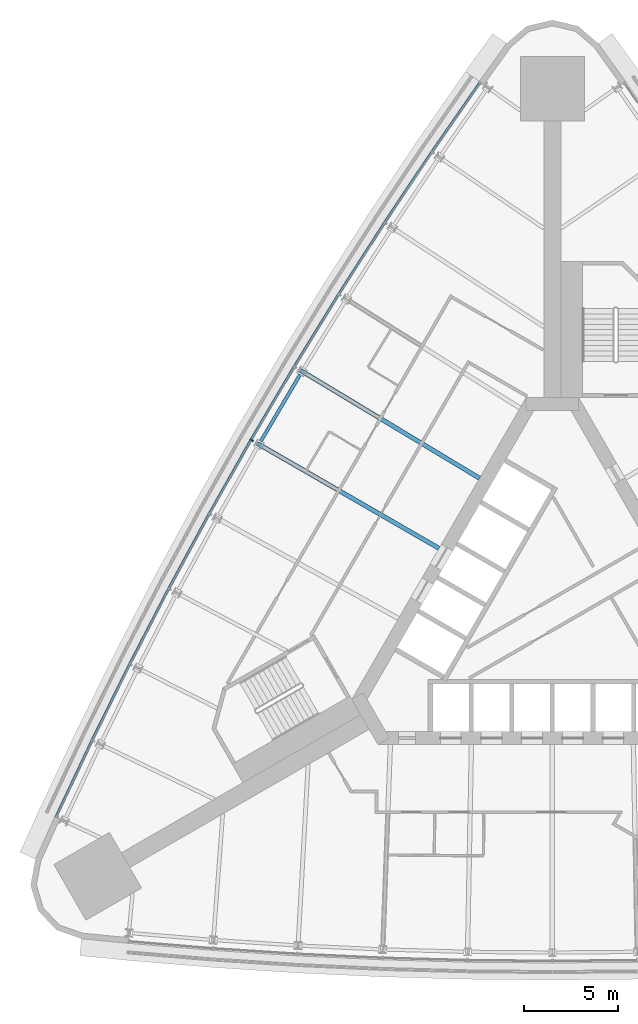
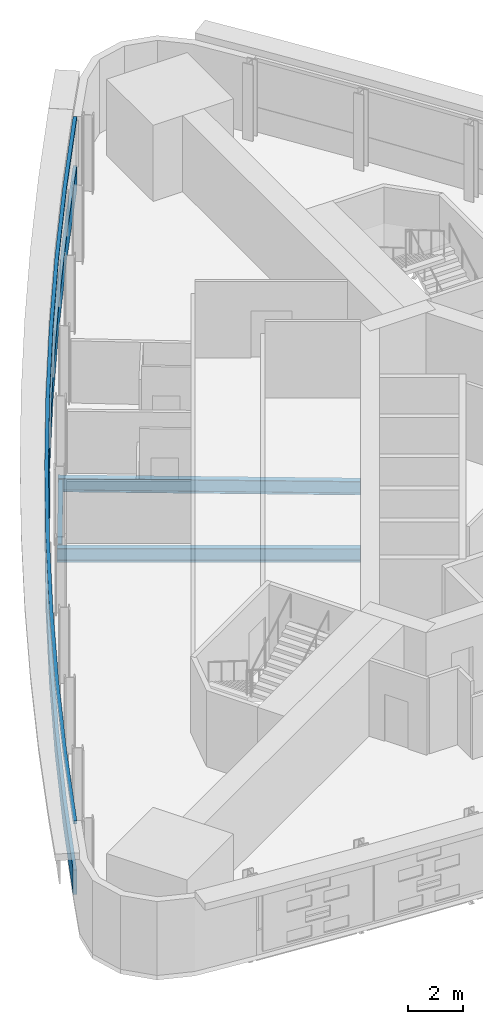
# One storey, part 5 of 15: 3 beams, 3 members, 1 element without a shape of its own.
"""IFC4 building model written with IfcOpenShell, lengths in metres."""

from ifc_helpers import new_model, si_unit, direction, frame, origin, origin_2d, place, context, subcontext, project, spatial, polyline, rectangle, i_section, outline, extrude, material, material_profile, profile_set, type_object, element, aggregate, save


model = new_model("IFC4")

# Units and contexts
model_context = context("Model", 3, precision=1e-05, world=origin(), true_north=direction((0.0, 1.0)))
body_context = subcontext(model_context, "Body", "Model", "MODEL_VIEW")
ifc_project = project(units=[si_unit("LENGTHUNIT", "METRE"), si_unit("AREAUNIT", "SQUARE_METRE"), si_unit("VOLUMEUNIT", "CUBIC_METRE"), si_unit("PLANEANGLEUNIT", "RADIAN"), si_unit("MASSUNIT", "GRAM", prefix="KILO")], contexts=[model_context])

# Site, building, storey
site_placement = place(None, origin())
site = spatial("IfcSite", under=ifc_project, at=site_placement, CompositionType="ELEMENT")
building_placement = place(site_placement, origin())
building = spatial("IfcBuilding", under=site, at=building_placement, Name="Noor Cloister Tower", CompositionType="ELEMENT")
storey_placement = place(building_placement, frame((0.0, 0.0, 31.199951171875)))
storey = spatial("IfcBuildingStorey", under=building, at=storey_placement, Name="L07", CompositionType="ELEMENT", Elevation=31.199951171875)

# Curtain wall, members
ifc_material_1 = material(Name="Aluminium 6063-T6 anodised", Category="aluminium")
curtain_wall_type = type_object("IfcCurtainWallType", Name="Ribbon curtain wall, lower tower CW1", PredefinedType="NOTDEFINED", material=ifc_material_1)
curtain_wall_placement = place(storey_placement, origin())
curtain_wall = element("IfcCurtainWall", 1, at=curtain_wall_placement, inside=storey, type_object=curtain_wall_type, Name="CW1 L07 NW run 1", PredefinedType="NOTDEFINED")
ifc_material_2 = material(Name="Aluminium 6063-T6 anodised", Category="aluminium")
member_type_1 = type_object("IfcMemberType", Name="Head transom CW1 150", PredefinedType="USERDEFINED", material=ifc_material_2)
member_1_placement = place(storey_placement, frame((0.0, 0.0, 3.150146484375)))
member_1 = element("IfcMember", 2, at=member_1_placement, type_object=member_type_1, Name="CW1 head transom", ObjectType="TRANSOM", PredefinedType="USERDEFINED", context=body_context, shape_type="SweptSolid", body=[
    extrude(outline(polyline([(-3.869873046875, 28.177734375), (-6.43701171875, 24.48193359375), (-8.93505859375, 20.739013671875), (-11.36328125, 16.950439453125), (-13.720947265625, 13.11767578125), (-16.0068359375, 9.24169921875), (-18.220703125, 5.32373046875), (-20.361328125, 1.36572265625), (-22.42822265625, -2.631591796875), (-24.42041015625, -6.66650390625), (-26.337646484375, -10.737548828125), (-26.2109375, -10.797119140625), (-24.29443359375, -6.727294921875), (-22.30322265625, -2.694580078125), (-20.237548828125, 1.30029296875), (-18.09814453125, 5.256103515625), (-15.8857421875, 9.171630859375), (-13.600830078125, 13.04541015625), (-11.244873046875, 16.8759765625), (-8.81787109375, 20.662353515625), (-6.3212890625, 24.403076171875), (-3.7548828125, 28.097900390625), (-3.869873046875, 28.177734375)])), origin(), (0.0, 0.0, 1.0), 0.14990234375),
])
ifc_material_3 = material(Name="Aluminium 6063-T6 anodised", Category="aluminium")
ifc_material_profile_1 = material_profile(ifc_material_3, rectangle(XDim=0.199951171875, YDim=0.080078125, at=origin_2d()), Name="200 x 80 mullion")
ifc_profile_set_1 = profile_set([ifc_material_profile_1], Name="Aluminium 6063-T6 anodised")
member_type_2 = type_object("IfcMemberType", Name="Mullion CW1 80 x 200", PredefinedType="MULLION", material=ifc_profile_set_1)
member_2_placement = place(storey_placement, frame((-15.920166015625, 9.191650390625, 1.10009765625), z_axis=(0.0, 0.0, 1.0), x_axis=(0.866025403784, -0.5, 0.0)))
member_2 = element("IfcMember", 3, at=member_2_placement, type_object=member_type_2, Name="CW1 mullion 6", PredefinedType="MULLION", context=body_context, shape_type="SweptSolid", body=[
    extrude(rectangle(XDim=0.199951171875, YDim=0.080078125, at=origin_2d()), origin(), (0.0, 0.0, 1.0), 2.050048828125),
])

# Beams
ifc_material_4 = material(Name="Steel ASTM A992 Gr 50", Category="steel")
ifc_material_profile_2 = material_profile(ifc_material_4, i_section(OverallWidth=0.22900390625, OverallDepth=0.612060546875, WebThickness=0.011962890625, FlangeThickness=0.01953125, FilletRadius=0.0126953125, at=origin_2d()), Name="W610x125")
ifc_profile_set_2 = profile_set([ifc_material_profile_2], Name="Steel ASTM A992 Gr 50")
beam_type_1 = type_object("IfcBeamType", Name="Radial beam W610x125", PredefinedType="BEAM", material=ifc_profile_set_2)
beam_1_placement = place(storey_placement, frame((-13.332763671875, 12.8837890625, -0.505859375), z_axis=(0.856603654805, -0.515974978633, 0.0), x_axis=(0.515974978633, 0.856603654805, 0.0)))
element("IfcBeam", 4, at=beam_1_placement, inside=storey, type_object=beam_type_1, Name="Radial beam NW 05 L07", PredefinedType="BEAM", context=body_context, shape_type="SweptSolid", body=[
    extrude(i_section(OverallWidth=0.22900390625, OverallDepth=0.612060546875, WebThickness=0.011962890625, FlangeThickness=0.01953125, FilletRadius=0.0126953125, at=origin_2d()), origin(), (0.0, 0.0, 1.0), 11.06201171875),
])
beam_2_placement = place(storey_placement, frame((-15.614501953125, 9.01513671875, -0.505859375), z_axis=(0.86602188956, -0.500006086766, 0.0), x_axis=(0.500006086766, 0.86602188956, 0.0)))
element("IfcBeam", 5, at=beam_2_placement, inside=storey, type_object=beam_type_1, Name="Radial beam NW 06 L07", PredefinedType="BEAM", context=body_context, shape_type="SweptSolid", body=[
    extrude(i_section(OverallWidth=0.22900390625, OverallDepth=0.612060546875, WebThickness=0.011962890625, FlangeThickness=0.01953125, FilletRadius=0.0126953125, at=origin_2d()), origin(), (0.0, 0.0, 1.0), 11.101806640625),
])

# Member
ifc_material_5 = material(Name="Aluminium 6063-T6 anodised", Category="aluminium")
member_type_3 = type_object("IfcMemberType", Name="Sill transom CW1 1100", PredefinedType="USERDEFINED", material=ifc_material_5)
member_3_placement = place(storey_placement, origin())
member_3 = element("IfcMember", 6, at=member_3_placement, type_object=member_type_3, Name="CW1 sill transom", ObjectType="TRANSOM", PredefinedType="USERDEFINED", context=body_context, shape_type="SweptSolid", body=[
    extrude(outline(polyline([(-3.869873046875, 28.177734375), (-6.43701171875, 24.48193359375), (-8.93505859375, 20.739013671875), (-11.36328125, 16.950439453125), (-13.720947265625, 13.11767578125), (-16.0068359375, 9.24169921875), (-18.220703125, 5.32373046875), (-20.361328125, 1.36572265625), (-22.42822265625, -2.631591796875), (-24.42041015625, -6.66650390625), (-26.337646484375, -10.737548828125), (-26.2109375, -10.797119140625), (-24.29443359375, -6.727294921875), (-22.30322265625, -2.694580078125), (-20.237548828125, 1.30029296875), (-18.09814453125, 5.256103515625), (-15.8857421875, 9.171630859375), (-13.600830078125, 13.04541015625), (-11.244873046875, 16.8759765625), (-8.81787109375, 20.662353515625), (-6.3212890625, 24.403076171875), (-3.7548828125, 28.097900390625), (-3.869873046875, 28.177734375)])), origin(), (0.0, 0.0, 1.0), 1.10009765625),
])

aggregate(curtain_wall, [member_2, member_3, member_1])

# Beam
ifc_material_6 = material(Name="Steel ASTM A992 Gr 50", Category="steel")
ifc_material_profile_3 = material_profile(ifc_material_6, i_section(OverallWidth=0.177978515625, OverallDepth=0.406005859375, WebThickness=0.0078125, FlangeThickness=0.0126953125, FilletRadius=0.01025390625, at=origin_2d()), Name="W410x60")
ifc_profile_set_3 = profile_set([ifc_material_profile_3], Name="Steel ASTM A992 Gr 50")
beam_type_2 = type_object("IfcBeamType", Name="Spandrel beam W410x60", PredefinedType="SPANDREL", material=ifc_profile_set_3)
beam_3_placement = place(storey_placement, frame((-13.352294921875, 12.659912109375, -0.40283203125), z_axis=(-0.508022532874, -0.861343779273, 0.0), x_axis=(0.861343779273, -0.508022532874, 0.0)))
element("IfcBeam", 7, at=beam_3_placement, inside=storey, type_object=beam_type_2, Name="Spandrel beam NW 05 L07", PredefinedType="SPANDREL", context=body_context, shape_type="SweptSolid", body=[
    extrude(i_section(OverallWidth=0.177978515625, OverallDepth=0.406005859375, WebThickness=0.0078125, FlangeThickness=0.0126953125, FilletRadius=0.01025390625, at=origin_2d()), origin(), (0.0, 0.0, 1.0), 4.085693359375),
])

save(model, "model.ifc")
